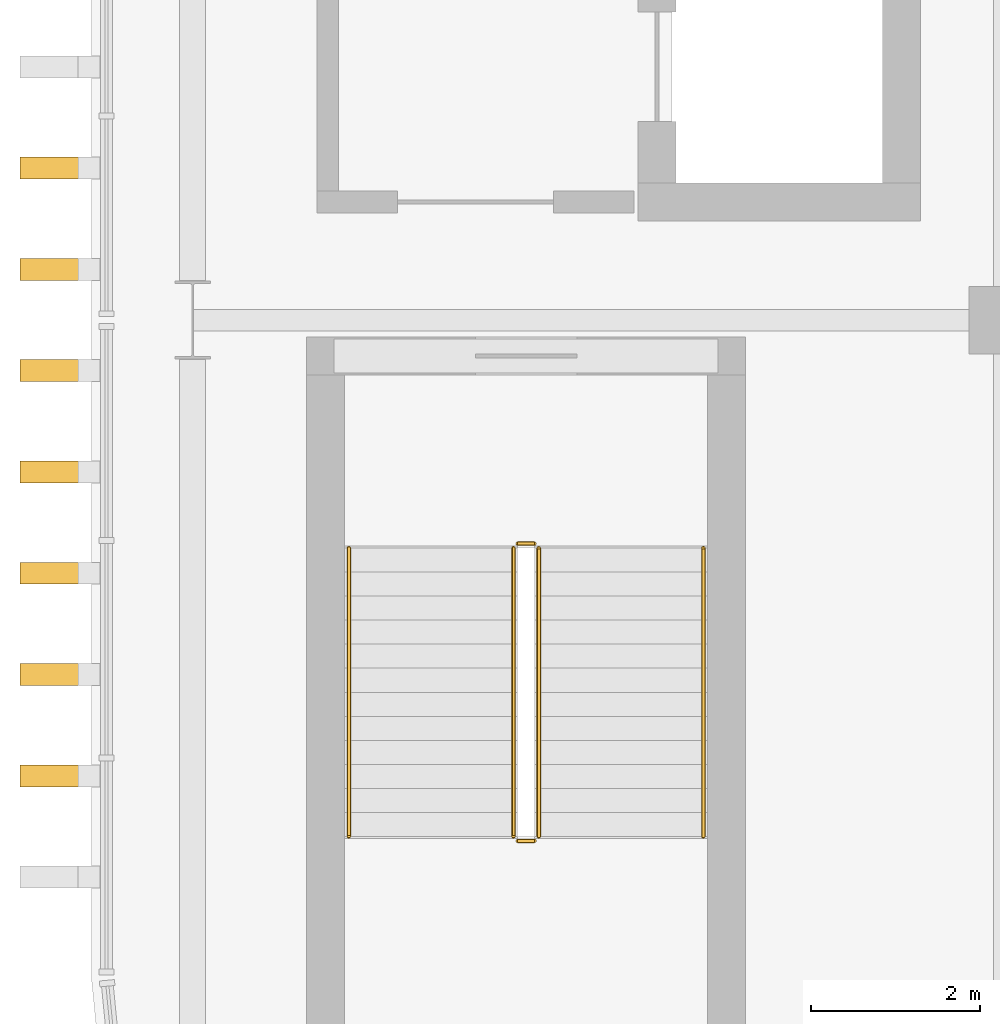
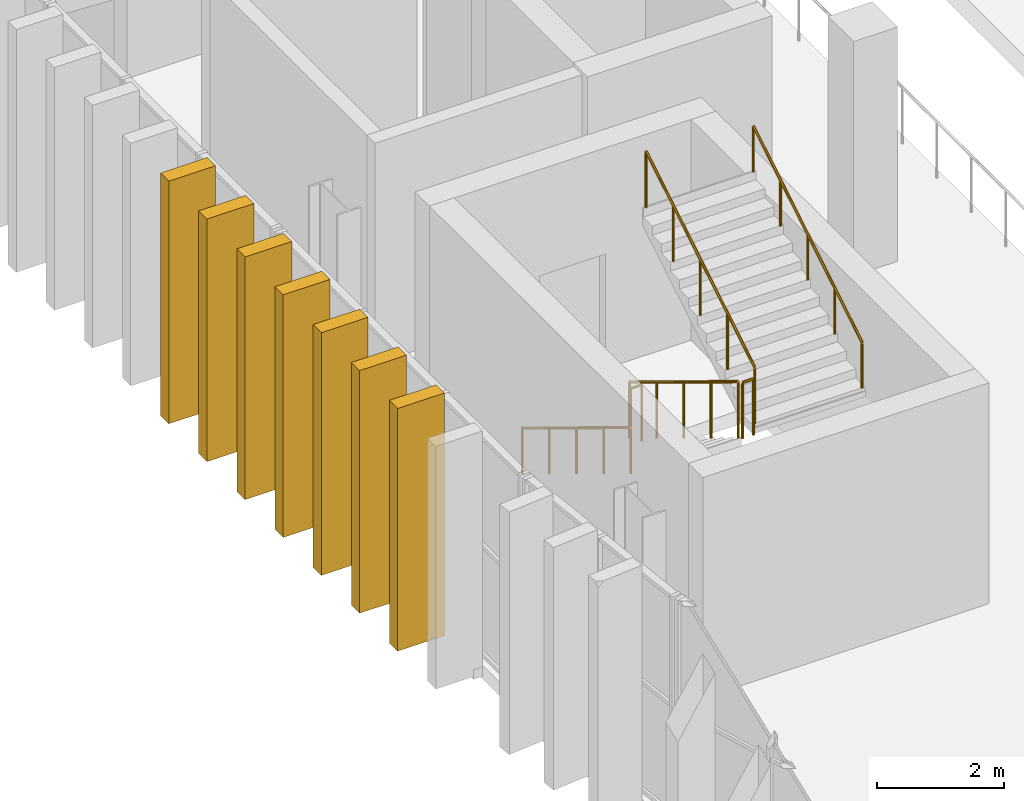
# One storey, part 55 of 69: 7 coverings, 6 railings.
"""IFC4 building model written with IfcOpenShell, lengths in metres."""

from ifc_helpers import new_model, si_unit, direction, frame, origin, origin_2d, place, context, subcontext, project, spatial, rectangle, circle, extrude, material, material_profile, profile_set, type_object, element, save


model = new_model("IFC4")

# Units and contexts
model_context = context("Model", 3, precision=1e-05, world=origin(), true_north=direction((0.0, 1.0)))
body_context = subcontext(model_context, "Body", "Model", "MODEL_VIEW")
ifc_project = project(units=[si_unit("LENGTHUNIT", "METRE"), si_unit("AREAUNIT", "SQUARE_METRE"), si_unit("VOLUMEUNIT", "CUBIC_METRE"), si_unit("PLANEANGLEUNIT", "RADIAN"), si_unit("MASSUNIT", "GRAM", prefix="KILO")], contexts=[model_context])

# Site, building, storey
site_placement = place(None, origin())
site = spatial("IfcSite", under=ifc_project, at=site_placement, CompositionType="ELEMENT")
building_placement = place(site_placement, origin())
building = spatial("IfcBuilding", under=site, at=building_placement, Name="Caelomonte Colonnade Arena", CompositionType="ELEMENT")
storey_placement = place(building_placement, frame((0.0, 0.0, 18.60009765625)))
storey = spatial("IfcBuildingStorey", under=building, at=storey_placement, Name="L04", CompositionType="ELEMENT", Elevation=18.60009765625)

# Coverings
ifc_material_1 = material(Name="Precast travertine cladding", Category="masonry")
ifc_material_profile = material_profile(ifc_material_1, rectangle(XDim=0.260009765625, YDim=0.85009765625, at=origin_2d()), Name="FIN260X850")
ifc_profile_set = profile_set([ifc_material_profile], Name="Precast travertine cladding")
covering_type = type_object("IfcCoveringType", Name="ENV-FN-SHAFT", PredefinedType="CLADDING", material=ifc_profile_set)
for number, where, z_axis, x_axis, name in (
    (1, (55.97900390625, 49.800048828125, -0.16015625), (0.0, 0.0, 1.0), (0.0, 1.0, 0.0), "V1 L04 classical travertine vertical fin 207"),
    (2, (55.97900390625, 48.60009765625, -0.16015625), (0.0, 0.0, 1.0), (0.0, 1.0, 0.0), "V1 L04 classical travertine vertical fin 208"),
    (3, (55.97900390625, 47.39990234375, -0.16015625), (0.0, 0.0, 1.0), (0.0, 1.0, 0.0), "V1 L04 classical travertine vertical fin 209"),
    (4, (55.97900390625, 46.199951171875, -0.16015625), (0.0, 0.0, 1.0), (0.0, 1.0, 0.0), "V1 L04 classical travertine vertical fin 210"),
    (5, (55.97900390625, 45.0, -0.16015625), (0.0, 0.0, 1.0), (0.0, 1.0, 0.0), "V1 L04 classical travertine vertical fin 211"),
    (6, (55.97900390625, 43.800048828125, -0.16015625), (0.0, 0.0, 1.0), (0.0, 1.0, 0.0), "V1 L04 classical travertine vertical fin 212"),
    (7, (55.97900390625, 42.60009765625, -0.16015625), (0.0, 0.0, 1.0), (0.0, 1.0, 0.0), "V1 L04 classical travertine vertical fin 213"),
):
    element("IfcCovering", number, at=place(storey_placement, frame(where, z_axis=z_axis, x_axis=x_axis)), inside=storey, type_object=covering_type, Name=name, PredefinedType="CLADDING", context=body_context, shape_type="SweptSolid", body=[
        extrude(rectangle(XDim=0.260009765625, YDim=0.85009765625, at=origin_2d()), origin(), (0.0, 0.0, 1.0), 4.66015625),
    ])

# Railings
ifc_material_2 = material(Name="Painted galvanized steel stair guard", Category="steel")
railing_type_1 = type_object("IfcRailingType", Name="INT-RL-GRD", PredefinedType="GUARDRAIL", material=ifc_material_2)
railing_1_placement = place(storey_placement, frame((61.39990234375, 45.300048828125, 0.173095703125)))
element("IfcRailing", 8, at=railing_1_placement, inside=storey, type_object=railing_type_1, Name="L04 ST-01 stair guard 1", PredefinedType="GUARDRAIL", context=body_context, shape_type="SweptSolid", body=[
    extrude(circle(Radius=0.02392578125, at=origin_2d()), frame((0.0, 0.0, 1.076171875), z_axis=(0.0, -0.854745945586, 0.519046595696), x_axis=(1.0, 0.0, 0.0)), (0.0, 0.0, 1.0), 4.00146484375),
    extrude(circle(Radius=0.02099609375, at=origin_2d()), origin(), (0.0, 0.0, 1.0), 1.048095703125),
    extrude(circle(Radius=0.02099609375, at=origin_2d()), frame((0.0, -0.85498046875, 0.519287109375)), (0.0, 0.0, 1.0), 1.048095703125),
    extrude(circle(Radius=0.02099609375, at=origin_2d()), frame((0.0, -1.7099609375, 1.03857421875)), (0.0, 0.0, 1.0), 1.048095703125),
    extrude(circle(Radius=0.02099609375, at=origin_2d()), frame((0.0, -2.565185546875, 1.5576171875)), (0.0, 0.0, 1.0), 1.048095703125),
    extrude(circle(Radius=0.02099609375, at=origin_2d()), frame((0.0, -3.420166015625, 2.076904296875)), (0.0, 0.0, 1.0), 1.048095703125),
])
railing_2_placement = place(storey_placement, frame((61.449951171875, 41.830078125, 2.25)))
element("IfcRailing", 9, at=railing_2_placement, inside=storey, type_object=railing_type_1, Name="L04 ST-01 stair guard 2", PredefinedType="GUARDRAIL", context=body_context, shape_type="SweptSolid", body=[
    extrude(circle(Radius=0.02392578125, at=origin_2d()), frame((0.0, 0.0, 1.076171875), z_axis=(1.0, 0.0, 0.0), x_axis=(0.0, 1.0, 0.0)), (0.0, 0.0, 1.0), 0.199951171875),
    extrude(circle(Radius=0.02099609375, at=origin_2d()), origin(), (0.0, 0.0, 1.0), 1.048095703125),
    extrude(circle(Radius=0.02099609375, at=origin_2d()), frame((0.199951171875, 0.0, 0.0)), (0.0, 0.0, 1.0), 1.048095703125),
])
railing_3_placement = place(storey_placement, frame((61.699951171875, 41.8798828125, 2.423095703125)))
element("IfcRailing", 10, at=railing_3_placement, inside=storey, type_object=railing_type_1, Name="L04 ST-01 stair guard 3", PredefinedType="GUARDRAIL", context=body_context, shape_type="SweptSolid", body=[
    extrude(circle(Radius=0.02392578125, at=origin_2d()), frame((0.0, 0.0, 1.076171875), z_axis=(0.0, 0.854745945586, 0.519046595696), x_axis=(-1.0, 0.0, 0.0)), (0.0, 0.0, 1.0), 4.00146484375),
    extrude(circle(Radius=0.02099609375, at=origin_2d()), origin(), (0.0, 0.0, 1.0), 1.048095703125),
    extrude(circle(Radius=0.02099609375, at=origin_2d()), frame((0.0, 0.85498046875, 0.519287109375)), (0.0, 0.0, 1.0), 1.048095703125),
    extrude(circle(Radius=0.02099609375, at=origin_2d()), frame((0.0, 1.7099609375, 1.03857421875)), (0.0, 0.0, 1.0), 1.048095703125),
    extrude(circle(Radius=0.02099609375, at=origin_2d()), frame((0.0, 2.565185546875, 1.5576171875)), (0.0, 0.0, 1.0), 1.048095703125),
    extrude(circle(Radius=0.02099609375, at=origin_2d()), frame((0.0, 3.420166015625, 2.076904296875)), (0.0, 0.0, 1.0), 1.048095703125),
])
railing_4_placement = place(storey_placement, frame((61.449951171875, 45.35009765625, 0.0)))
element("IfcRailing", 11, at=railing_4_placement, inside=storey, type_object=railing_type_1, Name="L04 ST-01 stair guard 4", PredefinedType="GUARDRAIL", context=body_context, shape_type="SweptSolid", body=[
    extrude(circle(Radius=0.02392578125, at=origin_2d()), frame((0.0, 0.0, 1.076171875), z_axis=(1.0, 0.0, 0.0), x_axis=(0.0, 1.0, 0.0)), (0.0, 0.0, 1.0), 0.199951171875),
    extrude(circle(Radius=0.02099609375, at=origin_2d()), origin(), (0.0, 0.0, 1.0), 1.048095703125),
    extrude(circle(Radius=0.02099609375, at=origin_2d()), frame((0.199951171875, 0.0, 0.0)), (0.0, 0.0, 1.0), 1.048095703125),
])
ifc_material_3 = material(Name="Brushed stainless steel stair handrail", Category="steel")
railing_type_2 = type_object("IfcRailingType", Name="INT-RL-HR", PredefinedType="HANDRAIL", material=ifc_material_3)
railing_5_placement = place(storey_placement, frame((59.449951171875, 45.300048828125, 0.173095703125)))
element("IfcRailing", 12, at=railing_5_placement, inside=storey, type_object=railing_type_2, Name="L04 ST-01 stair handrail 1", PredefinedType="HANDRAIL", context=body_context, shape_type="SweptSolid", body=[
    extrude(circle(Radius=0.02392578125, at=origin_2d()), frame((0.0, 0.0, 0.8759765625), z_axis=(0.0, -0.854745945586, 0.519046595696), x_axis=(1.0, 0.0, 0.0)), (0.0, 0.0, 1.0), 4.00146484375),
    extrude(circle(Radius=0.02099609375, at=origin_2d()), origin(), (0.0, 0.0, 1.0), 0.847900390625),
    extrude(circle(Radius=0.02099609375, at=origin_2d()), frame((0.0, -0.85498046875, 0.519287109375)), (0.0, 0.0, 1.0), 0.847900390625),
    extrude(circle(Radius=0.02099609375, at=origin_2d()), frame((0.0, -1.7099609375, 1.03857421875)), (0.0, 0.0, 1.0), 0.847900390625),
    extrude(circle(Radius=0.02099609375, at=origin_2d()), frame((0.0, -2.565185546875, 1.5576171875)), (0.0, 0.0, 1.0), 0.847900390625),
    extrude(circle(Radius=0.02099609375, at=origin_2d()), frame((0.0, -3.420166015625, 2.076904296875)), (0.0, 0.0, 1.0), 0.847900390625),
])
railing_6_placement = place(storey_placement, frame((63.64990234375, 41.8798828125, 2.423095703125)))
element("IfcRailing", 13, at=railing_6_placement, inside=storey, type_object=railing_type_2, Name="L04 ST-01 stair handrail 2", PredefinedType="HANDRAIL", context=body_context, shape_type="SweptSolid", body=[
    extrude(circle(Radius=0.02392578125, at=origin_2d()), frame((0.0, 0.0, 0.8759765625), z_axis=(0.0, 0.854745945586, 0.519046595696), x_axis=(-1.0, 0.0, 0.0)), (0.0, 0.0, 1.0), 4.00146484375),
    extrude(circle(Radius=0.02099609375, at=origin_2d()), origin(), (0.0, 0.0, 1.0), 0.847900390625),
    extrude(circle(Radius=0.02099609375, at=origin_2d()), frame((0.0, 0.85498046875, 0.519287109375)), (0.0, 0.0, 1.0), 0.847900390625),
    extrude(circle(Radius=0.02099609375, at=origin_2d()), frame((0.0, 1.7099609375, 1.03857421875)), (0.0, 0.0, 1.0), 0.847900390625),
    extrude(circle(Radius=0.02099609375, at=origin_2d()), frame((0.0, 2.565185546875, 1.5576171875)), (0.0, 0.0, 1.0), 0.847900390625),
    extrude(circle(Radius=0.02099609375, at=origin_2d()), frame((0.0, 3.420166015625, 2.076904296875)), (0.0, 0.0, 1.0), 0.847900390625),
])

save(model, "model.ifc")
